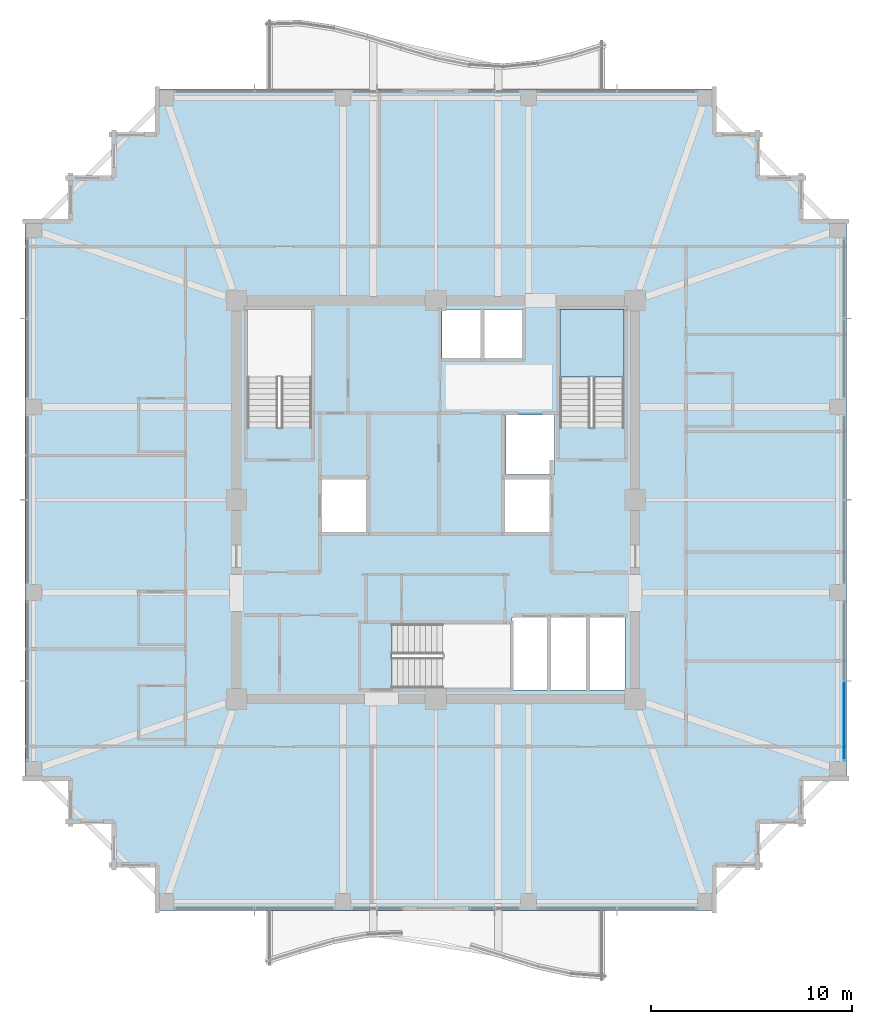
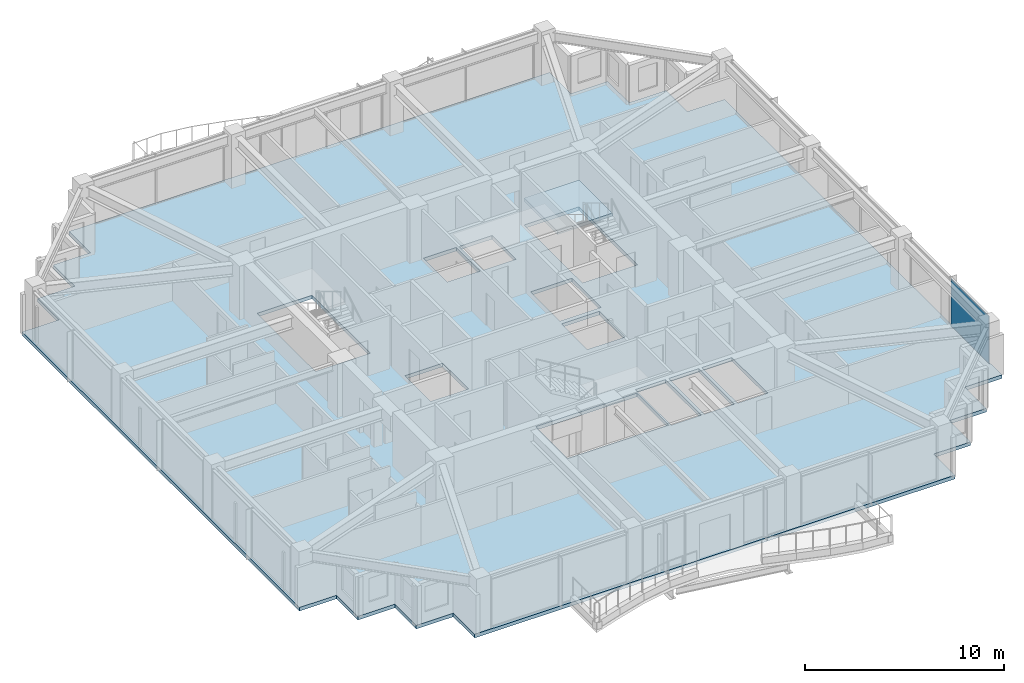
# One storey, part 26 of 36: 2 slabs, 1 plate, 2 elements without a shape of their own.
"""IFC4 building model written with IfcOpenShell, lengths in metres."""

from ifc_helpers import new_model, si_unit, direction, frame, origin, origin_2d, place, context, subcontext, project, spatial, polyline, rectangle, outline, extrude, material, layer, layer_set, type_object, element, aggregate, save


model = new_model("IFC4")

# Units and contexts
model_context = context("Model", 3, precision=1e-05, world=origin(), true_north=direction((0.0, 1.0)))
body_context = subcontext(model_context, "Body", "Model", "MODEL_VIEW")
ifc_project = project(units=[si_unit("LENGTHUNIT", "METRE"), si_unit("AREAUNIT", "SQUARE_METRE"), si_unit("VOLUMEUNIT", "CUBIC_METRE"), si_unit("PLANEANGLEUNIT", "RADIAN"), si_unit("MASSUNIT", "GRAM", prefix="KILO")], contexts=[model_context])

# Site, building, storey
site_placement = place(None, origin())
site = spatial("IfcSite", under=ifc_project, at=site_placement, CompositionType="ELEMENT")
building_placement = place(site_placement, origin())
building = spatial("IfcBuilding", under=site, at=building_placement, Name="Kolvaren Belvedere", CompositionType="ELEMENT")
storey_placement = place(building_placement, frame((0.0, 0.0, 193.199951171875)))
storey = spatial("IfcBuildingStorey", under=building, at=storey_placement, Name="L56", CompositionType="ELEMENT", Elevation=193.199951171875)

# Curtain wall, plate
ifc_material_1 = material(Name="Anodised pale-metal aluminium AA 6063-T6", Category="aluminium")
curtain_wall_type = type_object("IfcCurtainWallType", Name="CW-Z5-HIGH", PredefinedType="NOTDEFINED", material=ifc_material_1)
curtain_wall_placement = place(storey_placement, origin())
curtain_wall = element("IfcCurtainWall", 1, at=curtain_wall_placement, inside=storey, type_object=curtain_wall_type, Name="L56 Unitised Curtain Wall FCW-L56-E-B3", PredefinedType="NOTDEFINED")
ifc_material_2 = material(Name="Low-iron triple insulated glass", Category="glass")
ifc_layer_1 = layer(ifc_material_2, 0.028076171875)
ifc_layer_set_1 = layer_set([ifc_layer_1], Name="Low-iron triple insulated glass")
plate_type = type_object("IfcPlateType", Name="CW-PNL-VIS28", PredefinedType="CURTAIN_PANEL", material=ifc_layer_set_1)
plate_placement = place(storey_placement, frame((20.280029296875, -10.972412109375, 0.080078125), z_axis=(0.0, 0.0, 1.0), x_axis=(0.0, -1.0, 0.0)))
plate = element("IfcPlate", 2, at=plate_placement, type_object=plate_type, Name="FCW-L56-E-B3 Vision Glazing Panel 2", PredefinedType="CURTAIN_PANEL", context=body_context, shape_type="SweptSolid", body=[
    extrude(rectangle(XDim=3.864990234375, YDim=0.028076171875, at=origin_2d()), origin(), (0.0, 0.0, 1.0), 2.919921875),
])
aggregate(curtain_wall, [plate])

# Slab
ifc_material_3 = material(Name="Concrete C50/60", Category="concrete")
ifc_layer_2 = layer(ifc_material_3, 0.219970703125)
ifc_layer_set_2 = layer_set([ifc_layer_2], Name="Concrete C50/60")
slab_type_1 = type_object("IfcSlabType", Name="SL-FLR-220", PredefinedType="FLOOR", material=ifc_layer_set_2)
slab_1_placement = place(storey_placement, frame((0.0, 0.0, -0.219970703125)))
element("IfcSlab", 3, at=slab_1_placement, inside=storey, type_object=slab_type_1, Name="L56 Primary Structural Slab", PredefinedType="FLOOR", context=body_context, shape_type="SweptSolid", body=[
    extrude(outline(polyline([(-13.949951171875, -20.39990234375), (13.949951171875, -20.39990234375), (13.949951171875, -18.25), (16.10009765625, -18.25), (16.10009765625, -16.10009765625), (18.25, -16.10009765625), (18.25, -13.949951171875), (20.39990234375, -13.949951171875), (20.39990234375, 13.949951171875), (18.25, 13.949951171875), (18.25, 16.10009765625), (16.10009765625, 16.10009765625), (16.10009765625, 18.25), (13.949951171875, 18.25), (13.949951171875, 20.39990234375), (-13.949951171875, 20.39990234375), (-13.949951171875, 18.25), (-16.10009765625, 18.25), (-16.10009765625, 16.10009765625), (-18.25, 16.10009765625), (-18.25, 13.949951171875), (-20.39990234375, 13.949951171875), (-20.39990234375, -13.949951171875), (-18.25, -13.949951171875), (-18.25, -16.10009765625), (-16.10009765625, -16.10009765625), (-16.10009765625, -18.25), (-13.949951171875, -18.25), (-13.949951171875, -20.39990234375)]), holes=[polyline([(-9.35009765625, 3.580078125), (-6.159912109375, 3.580078125), (-6.159912109375, 9.449951171875), (-9.35009765625, 9.449951171875), (-9.35009765625, 3.580078125)]), polyline([(6.159912109375, 3.580078125), (9.35009765625, 3.580078125), (9.35009765625, 9.449951171875), (6.159912109375, 9.449951171875), (6.159912109375, 3.580078125)]), polyline([(-2.169921875, -9.35009765625), (3.699951171875, -9.35009765625), (3.699951171875, -6.159912109375), (-2.169921875, -6.159912109375), (-2.169921875, -9.35009765625)]), polyline([(-5.64990234375, -1.60009765625), (-3.449951171875, -1.60009765625), (-3.449951171875, 1.0), (-5.64990234375, 1.0), (-5.64990234375, -1.60009765625)]), polyline([(3.5, 1.25), (5.89990234375, 1.25), (5.89990234375, 4.199951171875), (3.5, 4.199951171875), (3.5, 1.25)]), polyline([(3.449951171875, -1.60009765625), (5.64990234375, -1.60009765625), (5.64990234375, 1.0), (3.449951171875, 1.0), (3.449951171875, -1.60009765625)]), polyline([(3.7900390625, -9.449951171875), (5.5400390625, -9.449951171875), (5.5400390625, -5.85009765625), (3.7900390625, -5.85009765625), (3.7900390625, -9.449951171875)]), polyline([(5.719970703125, -9.449951171875), (7.469970703125, -9.449951171875), (7.469970703125, -5.85009765625), (5.719970703125, -5.85009765625), (5.719970703125, -9.449951171875)]), polyline([(7.64990234375, -9.449951171875), (9.39990234375, -9.449951171875), (9.39990234375, -5.85009765625), (7.64990234375, -5.85009765625), (7.64990234375, -9.449951171875)]), polyline([(0.320068359375, 7.050048828125), (2.219970703125, 7.050048828125), (2.219970703125, 9.449951171875), (0.320068359375, 9.449951171875), (0.320068359375, 7.050048828125)]), polyline([(2.39990234375, 7.050048828125), (4.300048828125, 7.050048828125), (4.300048828125, 9.449951171875), (2.39990234375, 9.449951171875), (2.39990234375, 7.050048828125)])]), origin(), (0.0, 0.0, 1.0), 0.219970703125),
])

# Stair, slab
ifc_material_4 = material(Name="Concrete C50/60", Category="concrete")
stair_type = type_object("IfcStairType", Name="ST-CORE-1520", PredefinedType="HALF_TURN_STAIR", material=ifc_material_4)
stair_placement = place(storey_placement, origin())
stair = element("IfcStair", 4, at=stair_placement, inside=storey, type_object=stair_type, Name="L56 Protected Exit Stair ST-2", PredefinedType="HALF_TURN_STAIR")
ifc_material_5 = material(Name="Concrete C50/60", Category="concrete")
ifc_layer_3 = layer(ifc_material_5, 0.260009765625)
ifc_layer_set_3 = layer_set([ifc_layer_3], Name="Concrete C50/60")
slab_type_2 = type_object("IfcSlabType", Name="SL-LAND-260", PredefinedType="LANDING", material=ifc_layer_set_3)
slab_2_placement = place(storey_placement, frame((0.0, 0.0, 1.449951171875)))
slab_2 = element("IfcSlab", 5, at=slab_2_placement, type_object=slab_type_2, Name="ST-2 landing 1", PredefinedType="LANDING", context=body_context, shape_type="SweptSolid", body=[
    extrude(outline(polyline([(9.35009765625, 6.090087890625), (9.35009765625, 9.449951171875), (6.159912109375, 9.449951171875), (6.159912109375, 6.090087890625), (9.35009765625, 6.090087890625)])), origin(), (0.0, 0.0, 1.0), 0.2001953125),
])
aggregate(stair, [slab_2])

save(model, "model.ifc")
